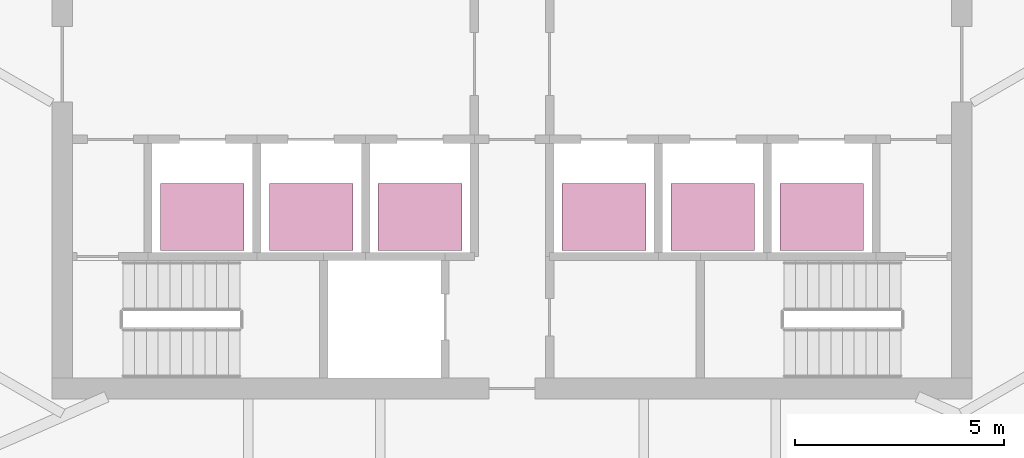
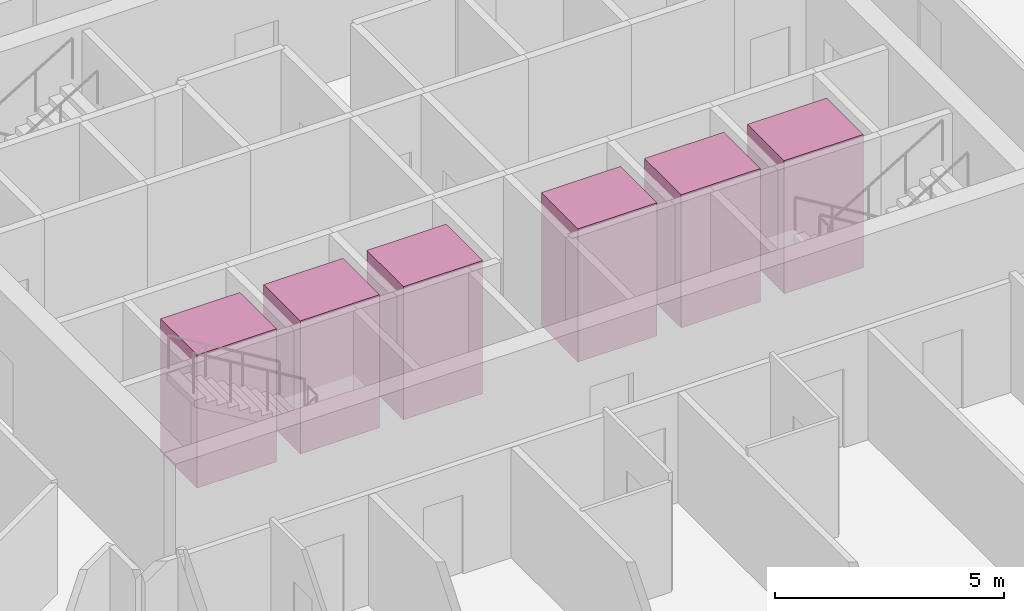
# One storey, part 22 of 22: 6 transport elements.
"""IFC4 building model written with IfcOpenShell, lengths in metres."""

import ifcopenshell
import ifcopenshell.guid

model = None  # the IFC model being written
_history = None  # IfcOwnerHistory: only IFC2X3 demands one
_inside = {}  # id of a spatial element -> (the spatial element, [elements in it])
_under = {}  # id of a project, library or spatial element -> (it, [spatial elements below it])
_declared = {}  # id of a project -> (the project, [libraries it declares])
_typed = {}  # id of a type object -> (the type object, [elements of that type])
_made_of = {}  # id of a material, layer set ... -> (it, [elements and type objects made of it])


def new_model(schema):
    """Start an empty IFC model of exactly this schema.

    Asked for "IFC4X3", IfcOpenShell would pick the latest addendum, in which some entities
    have other attributes; the version numbers below select the first issue.
    IFC2X3 requires an IfcOwnerHistory on every rooted entity: one is made here for all.
    """
    global model, _history
    if schema == "IFC4X3":
        model = ifcopenshell.file(schema_version=(4, 3, 0, 0))
    else:
        model = ifcopenshell.file(schema=schema)
    _inside.clear()
    _under.clear()
    _declared.clear()
    _typed.clear()
    _made_of.clear()
    _history = None
    if model.schema == "IFC2X3":
        org = make("IfcOrganization", Name="unknown")
        user = make(
            "IfcPersonAndOrganization",
            ThePerson=make("IfcPerson", FamilyName="unknown"),
            TheOrganization=org,
        )
        app = make(
            "IfcApplication",
            ApplicationDeveloper=org,
            Version="unknown",
            ApplicationFullName="unknown",
            ApplicationIdentifier="unknown",
        )
        _history = make(
            "IfcOwnerHistory",
            OwningUser=user,
            OwningApplication=app,
            ChangeAction="ADDED",
            CreationDate=0,
        )
    return model


def make(cls, **values):
    """One entity of the class cls with the attributes given. An attribute that is None is left unset."""
    return model.create_entity(
        cls, **{name: value for name, value in values.items() if value is not None}
    )


def rooted(cls, **values):
    """An entity with a GlobalId (a new one), such as an element, a storey or a relation."""
    return make(cls, GlobalId=ifcopenshell.guid.new(), OwnerHistory=_history, **values)


def si_unit(unit_type, name, prefix=None):
    """IfcSIUnit, for example si_unit("LENGTHUNIT", "METRE", prefix="MILLI")."""
    return make("IfcSIUnit", UnitType=unit_type, Prefix=prefix, Name=name)


def assignment(units):
    """IfcUnitAssignment: the units of a project."""
    return None if units is None else make("IfcUnitAssignment", Units=units)


def point(xyz):
    """IfcCartesianPoint."""
    return None if xyz is None else make("IfcCartesianPoint", Coordinates=xyz)


def direction(xyz):
    """IfcDirection."""
    return None if xyz is None else make("IfcDirection", DirectionRatios=xyz)


def frame(location, z_axis=None, x_axis=None):
    """IfcAxis2Placement3D, a coordinate frame: its origin and axes. An axis left out is left unset."""
    return make(
        "IfcAxis2Placement3D",
        Location=point(location),
        Axis=direction(z_axis),
        RefDirection=direction(x_axis),
    )


def frame_2d(location, x_axis=None):
    """IfcAxis2Placement2D, a coordinate frame in the plane: its origin and x axis."""
    return make(
        "IfcAxis2Placement2D", Location=point(location), RefDirection=direction(x_axis)
    )


def origin():
    """The frame at (0, 0, 0) with its axes left unset."""
    return frame((0.0, 0.0, 0.0))


def origin_2d():
    """The frame at (0, 0) in the plane with its x axis left unset."""
    return frame_2d((0.0, 0.0))


def place(relative_to, where):
    """IfcLocalPlacement: puts the frame where relative to a parent placement (None: the world)."""
    return make(
        "IfcLocalPlacement", PlacementRelTo=relative_to, RelativePlacement=where
    )


def context(
    kind, dimensions, precision=None, world=None, true_north=None, identifier=None
):
    """IfcGeometricRepresentationContext, for example the 3D "Model" context."""
    return make(
        "IfcGeometricRepresentationContext",
        ContextIdentifier=identifier,
        ContextType=kind,
        CoordinateSpaceDimension=dimensions,
        Precision=precision,
        WorldCoordinateSystem=world,
        TrueNorth=true_north,
    )


def subcontext(parent, identifier, kind, view, scale=None):
    """IfcGeometricRepresentationSubContext, for example "Body" below "Model"."""
    return make(
        "IfcGeometricRepresentationSubContext",
        ContextIdentifier=identifier,
        ContextType=kind,
        ParentContext=parent,
        TargetScale=scale,
        TargetView=view,
    )


def project(units=None, contexts=None):
    """IfcProject with its units and contexts."""
    return rooted(
        "IfcProject",
        Name="project",
        RepresentationContexts=contexts,
        UnitsInContext=assignment(units),
    )


def spatial(cls, under=None, at=None, **own):
    """A site, building, storey or space (cls), placed at a placement, below another one or the project."""
    s = rooted(cls, ObjectPlacement=at, **own)
    if under is not None:
        _under.setdefault(under.id(), (under, []))[1].append(s)
    return s


def profile(cls, at=None, kind="AREA", **sizes):
    """A parametric profile (cls). Its sizes go by their IFC names, for example OverallWidth=200.0."""
    return make(cls, ProfileType=kind, Position=at, **sizes)


def rectangle(**sizes):
    """IfcRectangleProfileDef."""
    return profile("IfcRectangleProfileDef", **sizes)


def extrude(swept, where, along, depth):
    """IfcExtrudedAreaSolid: the profile swept, set in the frame where, extruded along a direction by depth."""
    return make(
        "IfcExtrudedAreaSolid",
        SweptArea=swept,
        Position=where,
        ExtrudedDirection=direction(along),
        Depth=depth,
    )


def shape(context_of_items, identifier, shape_type, items):
    """IfcShapeRepresentation: the items that make up one representation, for example the "Body"."""
    return make(
        "IfcShapeRepresentation",
        ContextOfItems=context_of_items,
        RepresentationIdentifier=identifier,
        RepresentationType=shape_type,
        Items=items,
    )


def material(Name=None, Category=None):
    """IfcMaterial."""
    return make("IfcMaterial", Name=Name, Category=Category)


def made_of(thing, what):
    """Note that an element or type object is made of a material, layer set ...; save() writes the relation."""
    if what is not None:
        _made_of.setdefault(what.id(), (what, []))[1].append(thing)
    return thing


def type_object(cls, material=None, **own):
    """A type object (cls), such as IfcWallType, which elements share."""
    return made_of(rooted(cls, **own), material)


def element(
    cls,
    number,
    at=None,
    inside=None,
    cuts=None,
    type_object=None,
    material=None,
    context=None,
    identifier="Body",
    shape_type=None,
    held_by="IfcProductDefinitionShape",
    body=None,
    shapes=None,
    **own,
):
    """One element of the class cls, such as IfcWall. Its Tag is "e" and its number.

    at: its placement. inside: the storey or other place that contains it. cuts: it is an
    opening in that element (IfcRelVoidsElement). A single representation is given by context,
    identifier, shape_type and body (its items); several are given by shapes. held_by: the class
    of the entity that holds the representations. save() writes the other relations.
    """
    e = rooted(cls, Tag="e%d" % number, ObjectPlacement=at, **own)
    if body is not None:
        shapes = [shape(context, identifier, shape_type, body)]
    if shapes is not None:
        e.Representation = make(held_by, Representations=shapes)
    if inside is not None:
        _inside.setdefault(inside.id(), (inside, []))[1].append(e)
    if cuts is not None:
        rooted(
            "IfcRelVoidsElement", RelatingBuildingElement=cuts, RelatedOpeningElement=e
        )
    if type_object is not None:
        _typed.setdefault(type_object.id(), (type_object, []))[1].append(e)
    return made_of(e, material)


def aggregate(whole, parts):
    """IfcRelAggregates: a whole, such as a stair, and the parts it consists of."""
    return rooted("IfcRelAggregates", RelatingObject=whole, RelatedObjects=parts)


def save(model, path):
    """Write the relations noted so far, then the file.

    IfcRelAggregates (storeys below a building ...), IfcRelContainedInSpatialStructure (elements
    in a storey), IfcRelDefinesByType, IfcRelAssociatesMaterial and IfcRelDeclares: one each for
    every whole, place, type object, material and project.
    """
    for whole, parts in _under.values():
        aggregate(whole, parts)
    for where, things in _inside.values():
        rooted(
            "IfcRelContainedInSpatialStructure",
            RelatedElements=things,
            RelatingStructure=where,
        )
    for kind, things in _typed.values():
        rooted("IfcRelDefinesByType", RelatedObjects=things, RelatingType=kind)
    for what, things in _made_of.values():
        rooted("IfcRelAssociatesMaterial", RelatedObjects=things, RelatingMaterial=what)
    for by, libraries in _declared.values():
        rooted("IfcRelDeclares", RelatingContext=by, RelatedDefinitions=libraries)
    model.write(path)


model = new_model("IFC4")

# Units and contexts
model_context = context("Model", 3, precision=1e-05, world=origin(), true_north=direction((0.0, 1.0)))
body_context = subcontext(model_context, "Body", "Model", "MODEL_VIEW")
ifc_project = project(units=[si_unit("LENGTHUNIT", "METRE"), si_unit("AREAUNIT", "SQUARE_METRE"), si_unit("VOLUMEUNIT", "CUBIC_METRE"), si_unit("PLANEANGLEUNIT", "RADIAN"), si_unit("MASSUNIT", "GRAM", prefix="KILO")], contexts=[model_context])

# Site, building, storey
site_placement = place(None, origin())
site = spatial("IfcSite", under=ifc_project, at=site_placement, CompositionType="ELEMENT")
building_placement = place(site_placement, origin())
building = spatial("IfcBuilding", under=site, at=building_placement, Name="Sierra Prisma Convention Tower", CompositionType="ELEMENT")
storey_placement = place(building_placement, frame((0.0, 0.0, 62.800048828125)))
storey = spatial("IfcBuildingStorey", under=building, at=storey_placement, Name="L11", CompositionType="ELEMENT", Elevation=62.800048828125)

# Transport elements
ifc_material = material(Name="Stainless steel", Category="steel")
transport_element_type = type_object("IfcTransportElementType", Name="Lift car hotel 2000x1600 1600 kg", PredefinedType="ELEVATOR", material=ifc_material)
for number, where, z_axis, x_axis, name in (
    (1, (-7.39990234375, -3.64990234375, 0.0), (0.0, 0.0, 1.0), (1.0, 0.0, 0.0), "Lift HT1"),
    (2, (-4.800048828125, -3.64990234375, 0.0), (0.0, 0.0, 1.0), (1.0, 0.0, 0.0), "Lift HT2"),
    (3, (-2.199951171875, -3.64990234375, 0.0), (0.0, 0.0, 1.0), (1.0, 0.0, 0.0), "Lift HT3"),
    (4, (2.199951171875, -3.64990234375, 0.0), (0.0, 0.0, 1.0), (1.0, 0.0, 0.0), "Lift HT4"),
    (5, (4.800048828125, -3.64990234375, 0.0), (0.0, 0.0, 1.0), (1.0, 0.0, 0.0), "Lift HT5"),
    (6, (7.39990234375, -3.64990234375, 0.0), (0.0, 0.0, 1.0), (1.0, 0.0, 0.0), "Lift HT6"),
):
    element("IfcTransportElement", number, at=place(storey_placement, frame(where, z_axis=z_axis, x_axis=x_axis)), inside=storey, type_object=transport_element_type, Name=name, PredefinedType="ELEVATOR", context=body_context, shape_type="SweptSolid", body=[
        extrude(rectangle(XDim=2.0, YDim=1.60009765625, at=origin_2d()), origin(), (0.0, 0.0, 1.0), 3.550048828125),
    ])

save(model, "model.ifc")
